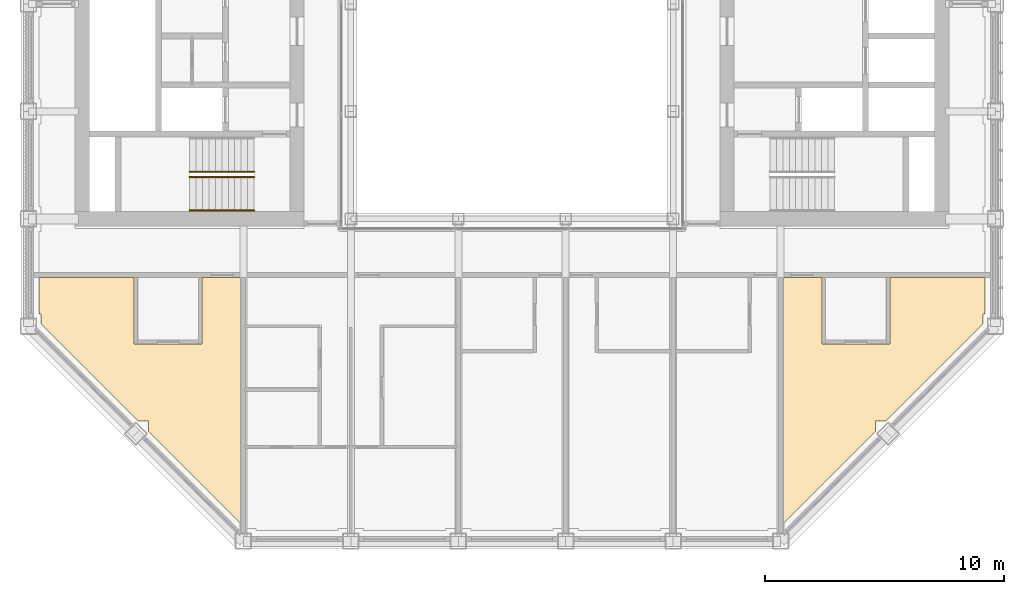
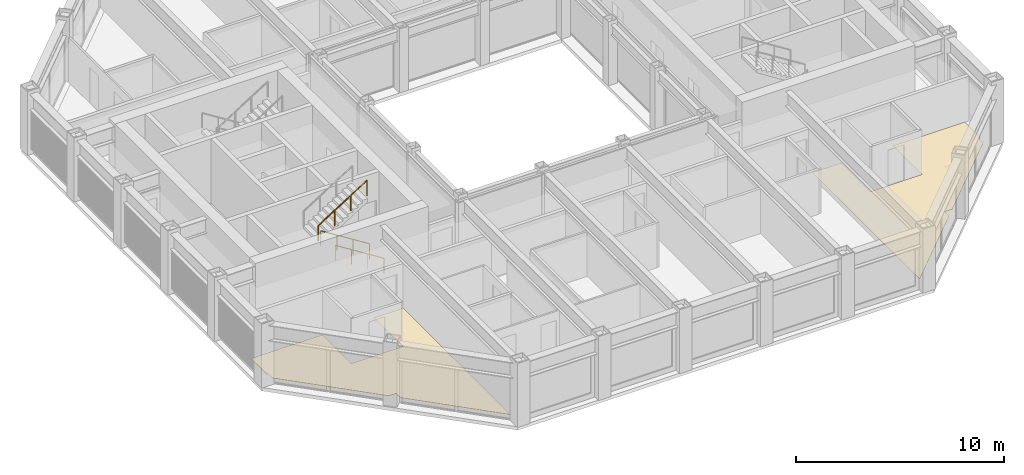
# One storey, part 14 of 18: 3 railings, 1 covering.
"""IFC4 building model written with IfcOpenShell, lengths in metres."""

import ifcopenshell
import ifcopenshell.guid

model = None  # the IFC model being written
_history = None  # IfcOwnerHistory: only IFC2X3 demands one
_inside = {}  # id of a spatial element -> (the spatial element, [elements in it])
_under = {}  # id of a project, library or spatial element -> (it, [spatial elements below it])
_declared = {}  # id of a project -> (the project, [libraries it declares])
_typed = {}  # id of a type object -> (the type object, [elements of that type])
_made_of = {}  # id of a material, layer set ... -> (it, [elements and type objects made of it])


def new_model(schema):
    """Start an empty IFC model of exactly this schema.

    Asked for "IFC4X3", IfcOpenShell would pick the latest addendum, in which some entities
    have other attributes; the version numbers below select the first issue.
    IFC2X3 requires an IfcOwnerHistory on every rooted entity: one is made here for all.
    """
    global model, _history
    if schema == "IFC4X3":
        model = ifcopenshell.file(schema_version=(4, 3, 0, 0))
    else:
        model = ifcopenshell.file(schema=schema)
    _inside.clear()
    _under.clear()
    _declared.clear()
    _typed.clear()
    _made_of.clear()
    _history = None
    if model.schema == "IFC2X3":
        org = make("IfcOrganization", Name="unknown")
        user = make(
            "IfcPersonAndOrganization",
            ThePerson=make("IfcPerson", FamilyName="unknown"),
            TheOrganization=org,
        )
        app = make(
            "IfcApplication",
            ApplicationDeveloper=org,
            Version="unknown",
            ApplicationFullName="unknown",
            ApplicationIdentifier="unknown",
        )
        _history = make(
            "IfcOwnerHistory",
            OwningUser=user,
            OwningApplication=app,
            ChangeAction="ADDED",
            CreationDate=0,
        )
    return model


def make(cls, **values):
    """One entity of the class cls with the attributes given. An attribute that is None is left unset."""
    return model.create_entity(
        cls, **{name: value for name, value in values.items() if value is not None}
    )


def rooted(cls, **values):
    """An entity with a GlobalId (a new one), such as an element, a storey or a relation."""
    return make(cls, GlobalId=ifcopenshell.guid.new(), OwnerHistory=_history, **values)


def si_unit(unit_type, name, prefix=None):
    """IfcSIUnit, for example si_unit("LENGTHUNIT", "METRE", prefix="MILLI")."""
    return make("IfcSIUnit", UnitType=unit_type, Prefix=prefix, Name=name)


def assignment(units):
    """IfcUnitAssignment: the units of a project."""
    return None if units is None else make("IfcUnitAssignment", Units=units)


def point(xyz):
    """IfcCartesianPoint."""
    return None if xyz is None else make("IfcCartesianPoint", Coordinates=xyz)


def direction(xyz):
    """IfcDirection."""
    return None if xyz is None else make("IfcDirection", DirectionRatios=xyz)


def frame(location, z_axis=None, x_axis=None):
    """IfcAxis2Placement3D, a coordinate frame: its origin and axes. An axis left out is left unset."""
    return make(
        "IfcAxis2Placement3D",
        Location=point(location),
        Axis=direction(z_axis),
        RefDirection=direction(x_axis),
    )


def frame_2d(location, x_axis=None):
    """IfcAxis2Placement2D, a coordinate frame in the plane: its origin and x axis."""
    return make(
        "IfcAxis2Placement2D", Location=point(location), RefDirection=direction(x_axis)
    )


def origin():
    """The frame at (0, 0, 0) with its axes left unset."""
    return frame((0.0, 0.0, 0.0))


def origin_2d():
    """The frame at (0, 0) in the plane with its x axis left unset."""
    return frame_2d((0.0, 0.0))


def place(relative_to, where):
    """IfcLocalPlacement: puts the frame where relative to a parent placement (None: the world)."""
    return make(
        "IfcLocalPlacement", PlacementRelTo=relative_to, RelativePlacement=where
    )


def context(
    kind, dimensions, precision=None, world=None, true_north=None, identifier=None
):
    """IfcGeometricRepresentationContext, for example the 3D "Model" context."""
    return make(
        "IfcGeometricRepresentationContext",
        ContextIdentifier=identifier,
        ContextType=kind,
        CoordinateSpaceDimension=dimensions,
        Precision=precision,
        WorldCoordinateSystem=world,
        TrueNorth=true_north,
    )


def subcontext(parent, identifier, kind, view, scale=None):
    """IfcGeometricRepresentationSubContext, for example "Body" below "Model"."""
    return make(
        "IfcGeometricRepresentationSubContext",
        ContextIdentifier=identifier,
        ContextType=kind,
        ParentContext=parent,
        TargetScale=scale,
        TargetView=view,
    )


def project(units=None, contexts=None):
    """IfcProject with its units and contexts."""
    return rooted(
        "IfcProject",
        Name="project",
        RepresentationContexts=contexts,
        UnitsInContext=assignment(units),
    )


def spatial(cls, under=None, at=None, **own):
    """A site, building, storey or space (cls), placed at a placement, below another one or the project."""
    s = rooted(cls, ObjectPlacement=at, **own)
    if under is not None:
        _under.setdefault(under.id(), (under, []))[1].append(s)
    return s


def point_list(points):
    """IfcCartesianPointList2D or 3D."""
    cls = (
        "IfcCartesianPointList2D" if len(points[0]) == 2 else "IfcCartesianPointList3D"
    )
    return make(cls, CoordList=points)


def line(*indices):
    """IfcLineIndex: a straight run through numbered points of an indexed curve."""
    return model.create_entity("IfcLineIndex", indices)


def indexed_curve(points, segments=None, self_intersect=None):
    """IfcIndexedPolyCurve: lines and arcs through numbered points (the first is 1)."""
    return make(
        "IfcIndexedPolyCurve",
        Points=point_list(points),
        Segments=segments,
        SelfIntersect=self_intersect,
    )


def profile(cls, at=None, kind="AREA", **sizes):
    """A parametric profile (cls). Its sizes go by their IFC names, for example OverallWidth=200.0."""
    return make(cls, ProfileType=kind, Position=at, **sizes)


def circle(**sizes):
    """IfcCircleProfileDef."""
    return profile("IfcCircleProfileDef", **sizes)


def outline(outer, holes=None, kind="AREA"):
    """IfcArbitraryClosedProfileDef: a profile drawn as a closed curve; with holes, ...WithVoids."""
    if holes is None:
        return make("IfcArbitraryClosedProfileDef", ProfileType=kind, OuterCurve=outer)
    return make(
        "IfcArbitraryProfileDefWithVoids",
        ProfileType=kind,
        OuterCurve=outer,
        InnerCurves=holes,
    )


def extrude(swept, where, along, depth):
    """IfcExtrudedAreaSolid: the profile swept, set in the frame where, extruded along a direction by depth."""
    return make(
        "IfcExtrudedAreaSolid",
        SweptArea=swept,
        Position=where,
        ExtrudedDirection=direction(along),
        Depth=depth,
    )


def shape(context_of_items, identifier, shape_type, items):
    """IfcShapeRepresentation: the items that make up one representation, for example the "Body"."""
    return make(
        "IfcShapeRepresentation",
        ContextOfItems=context_of_items,
        RepresentationIdentifier=identifier,
        RepresentationType=shape_type,
        Items=items,
    )


def material(Name=None, Category=None):
    """IfcMaterial."""
    return make("IfcMaterial", Name=Name, Category=Category)


def layer(
    of_material, thickness, ventilated=None, Name=None, Category=None, Priority=None
):
    """IfcMaterialLayer: one layer of a wall or slab, of a material (None: an air gap)."""
    return make(
        "IfcMaterialLayer",
        Material=of_material,
        LayerThickness=thickness,
        IsVentilated=ventilated,
        Name=Name,
        Category=Category,
        Priority=Priority,
    )


def layer_set(layers, Name=None):
    """IfcMaterialLayerSet."""
    return make("IfcMaterialLayerSet", MaterialLayers=layers, LayerSetName=Name)


def made_of(thing, what):
    """Note that an element or type object is made of a material, layer set ...; save() writes the relation."""
    if what is not None:
        _made_of.setdefault(what.id(), (what, []))[1].append(thing)
    return thing


def type_object(cls, material=None, **own):
    """A type object (cls), such as IfcWallType, which elements share."""
    return made_of(rooted(cls, **own), material)


def element(
    cls,
    number,
    at=None,
    inside=None,
    cuts=None,
    type_object=None,
    material=None,
    context=None,
    identifier="Body",
    shape_type=None,
    held_by="IfcProductDefinitionShape",
    body=None,
    shapes=None,
    **own,
):
    """One element of the class cls, such as IfcWall. Its Tag is "e" and its number.

    at: its placement. inside: the storey or other place that contains it. cuts: it is an
    opening in that element (IfcRelVoidsElement). A single representation is given by context,
    identifier, shape_type and body (its items); several are given by shapes. held_by: the class
    of the entity that holds the representations. save() writes the other relations.
    """
    e = rooted(cls, Tag="e%d" % number, ObjectPlacement=at, **own)
    if body is not None:
        shapes = [shape(context, identifier, shape_type, body)]
    if shapes is not None:
        e.Representation = make(held_by, Representations=shapes)
    if inside is not None:
        _inside.setdefault(inside.id(), (inside, []))[1].append(e)
    if cuts is not None:
        rooted(
            "IfcRelVoidsElement", RelatingBuildingElement=cuts, RelatedOpeningElement=e
        )
    if type_object is not None:
        _typed.setdefault(type_object.id(), (type_object, []))[1].append(e)
    return made_of(e, material)


def aggregate(whole, parts):
    """IfcRelAggregates: a whole, such as a stair, and the parts it consists of."""
    return rooted("IfcRelAggregates", RelatingObject=whole, RelatedObjects=parts)


def save(model, path):
    """Write the relations noted so far, then the file.

    IfcRelAggregates (storeys below a building ...), IfcRelContainedInSpatialStructure (elements
    in a storey), IfcRelDefinesByType, IfcRelAssociatesMaterial and IfcRelDeclares: one each for
    every whole, place, type object, material and project.
    """
    for whole, parts in _under.values():
        aggregate(whole, parts)
    for where, things in _inside.values():
        rooted(
            "IfcRelContainedInSpatialStructure",
            RelatedElements=things,
            RelatingStructure=where,
        )
    for kind, things in _typed.values():
        rooted("IfcRelDefinesByType", RelatedObjects=things, RelatingType=kind)
    for what, things in _made_of.values():
        rooted("IfcRelAssociatesMaterial", RelatedObjects=things, RelatingMaterial=what)
    for by, libraries in _declared.values():
        rooted("IfcRelDeclares", RelatingContext=by, RelatedDefinitions=libraries)
    model.write(path)


model = new_model("IFC4")

# Units and contexts
model_context = context("Model", 3, precision=1e-05, world=origin(), true_north=direction((0.0, 1.0)))
body_context = subcontext(model_context, "Body", "Model", "MODEL_VIEW")
ifc_project = project(units=[si_unit("LENGTHUNIT", "METRE"), si_unit("AREAUNIT", "SQUARE_METRE"), si_unit("VOLUMEUNIT", "CUBIC_METRE"), si_unit("PLANEANGLEUNIT", "RADIAN"), si_unit("MASSUNIT", "GRAM", prefix="KILO")], contexts=[model_context])

# Site, building, storey
site_placement = place(None, origin())
site = spatial("IfcSite", under=ifc_project, at=site_placement, CompositionType="ELEMENT")
building_placement = place(site_placement, origin())
building = spatial("IfcBuilding", under=site, at=building_placement, Name="Msasa Ring Tower", CompositionType="ELEMENT")
storey_placement = place(building_placement, frame((0.0, 0.0, 227.050048828125)))
storey = spatial("IfcBuildingStorey", under=building, at=storey_placement, Name="L59", CompositionType="ELEMENT", Elevation=227.050048828125)

# Covering
ifc_material_1 = material(Name="Engineered oak boards on an acoustic underlay", Category="wood")
ifc_layer = layer(ifc_material_1, 0.01806640625)
ifc_layer_set = layer_set([ifc_layer], Name="F3 ENGINEERED TIMBER ON ACOUSTIC UNDERLAY 18")
covering_type = type_object("IfcCoveringType", Name="F3 ENGINEERED TIMBER ON ACOUSTIC UNDERLAY 18", PredefinedType="FLOORING", material=ifc_layer_set)
covering_placement = place(storey_placement, origin())
element("IfcCovering", 1, at=covering_placement, inside=storey, type_object=covering_type, Name="Engineered Timber On Acoustic Underlay 18 L59", PredefinedType="FLOORING", context=body_context, shape_type="SweptSolid", body=[
    extrude(outline(indexed_curve([(-15.83056640625, -9.200439453125), (-15.83056640625, -11.98046875), (-12.969482421875, -11.98046875), (-12.969482421875, -9.200439453125), (-11.3505859375, -9.200439453125), (-11.3505859375, -19.512451171875), (-15.224609375, -15.638427734375), (-15.224609375, -15.224609375), (-15.638427734375, -15.224609375), (-19.724609375, -11.138427734375), (-19.724609375, -10.724609375), (-19.799560546875, -10.724609375), (-19.799560546875, -9.200439453125)], segments=[line(1, 2, 3, 4, 5, 6, 7, 8, 9, 10, 11, 12, 13, 1)], self_intersect=False)), origin(), (0.0, 0.0, 1.0), 0.01806640625),
    extrude(outline(indexed_curve([(15.83056640625, -11.98046875), (15.83056640625, -9.200439453125), (19.799560546875, -9.200439453125), (19.799560546875, -10.724609375), (19.724609375, -10.724609375), (19.724609375, -11.138427734375), (15.638427734375, -15.224609375), (15.224609375, -15.224609375), (15.224609375, -15.638427734375), (11.3505859375, -19.512451171875), (11.3505859375, -9.200439453125), (12.969482421875, -9.200439453125), (12.969482421875, -11.98046875)], segments=[line(1, 2, 3, 4, 5, 6, 7, 8, 9, 10, 11, 12, 13, 1)], self_intersect=False)), origin(), (0.0, 0.0, 1.0), 0.01806640625),
])

# Railings
ifc_material_2 = material(Name="Stainless steel", Category="steel")
railing_type = type_object("IfcRailingType", Name="HR1 HANDRAIL 900", PredefinedType="HANDRAIL", material=ifc_material_2)
for number, where, name in (
    (2, (-10.800048828125, -6.39990234375, 0.17041015625), "Handrail stair SWA L59 1"),
    (3, (-10.800048828125, -5.0, 0.17041015625), "Handrail stair SWA L59 2"),
):
    element("IfcRailing", number, at=place(storey_placement, frame(where)), inside=storey, type_object=railing_type, Name=name, PredefinedType="HANDRAIL", context=body_context, shape_type="SweptSolid", body=[
        extrude(circle(Radius=0.02392578125, at=origin_2d()), frame((0.0, 0.0, 0.8759765625), z_axis=(-0.845579735284, 0.0, 0.533849146555), x_axis=(0.0, -1.0, 0.0)), (0.0, 0.0, 1.0), 3.193115234375),
        extrude(circle(Radius=0.02099609375, at=origin_2d()), origin(), (0.0, 0.0, 1.0), 0.851806640625),
        extrude(circle(Radius=0.02099609375, at=origin_2d()), frame((-0.89990234375, 0.0, 0.568115234375)), (0.0, 0.0, 1.0), 0.851806640625),
        extrude(circle(Radius=0.02099609375, at=origin_2d()), frame((-1.800048828125, 0.0, 1.136474609375)), (0.0, 0.0, 1.0), 0.851806640625),
        extrude(circle(Radius=0.02099609375, at=origin_2d()), frame((-2.699951171875, 0.0, 1.70458984375)), (0.0, 0.0, 1.0), 0.851806640625),
    ])
railing_placement = place(storey_placement, frame((-13.5, -4.77490234375, 2.04541015625)))
element("IfcRailing", 4, at=railing_placement, inside=storey, type_object=railing_type, Name="Handrail stair SWA L59 3", PredefinedType="HANDRAIL", context=body_context, shape_type="SweptSolid", body=[
    extrude(circle(Radius=0.02392578125, at=origin_2d()), frame((0.0, 0.0, 0.8759765625), z_axis=(0.845579735284, 0.0, 0.533849146555), x_axis=(0.0, 1.0, 0.0)), (0.0, 0.0, 1.0), 3.193115234375),
    extrude(circle(Radius=0.02099609375, at=origin_2d()), origin(), (0.0, 0.0, 1.0), 0.851806640625),
    extrude(circle(Radius=0.02099609375, at=origin_2d()), frame((0.89990234375, 0.0, 0.568115234375)), (0.0, 0.0, 1.0), 0.851806640625),
    extrude(circle(Radius=0.02099609375, at=origin_2d()), frame((1.800048828125, 0.0, 1.136474609375)), (0.0, 0.0, 1.0), 0.851806640625),
    extrude(circle(Radius=0.02099609375, at=origin_2d()), frame((2.699951171875, 0.0, 1.70458984375)), (0.0, 0.0, 1.0), 0.851806640625),
])

save(model, "model.ifc")
